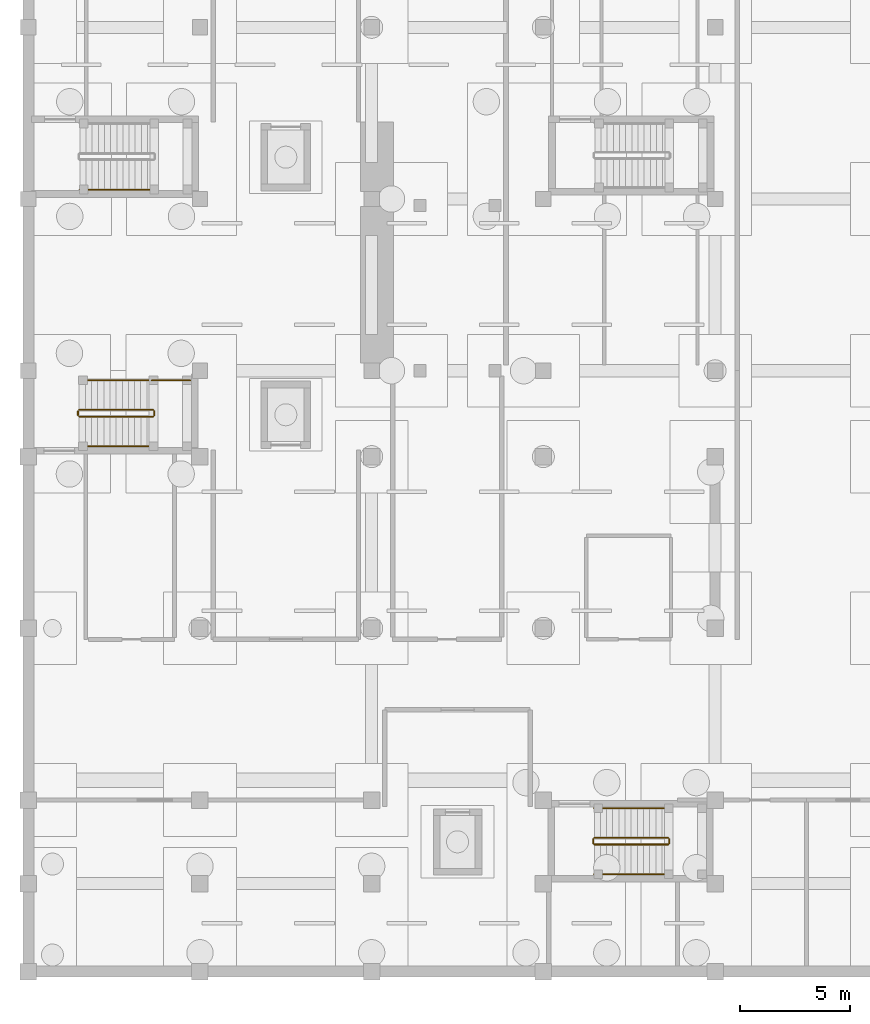
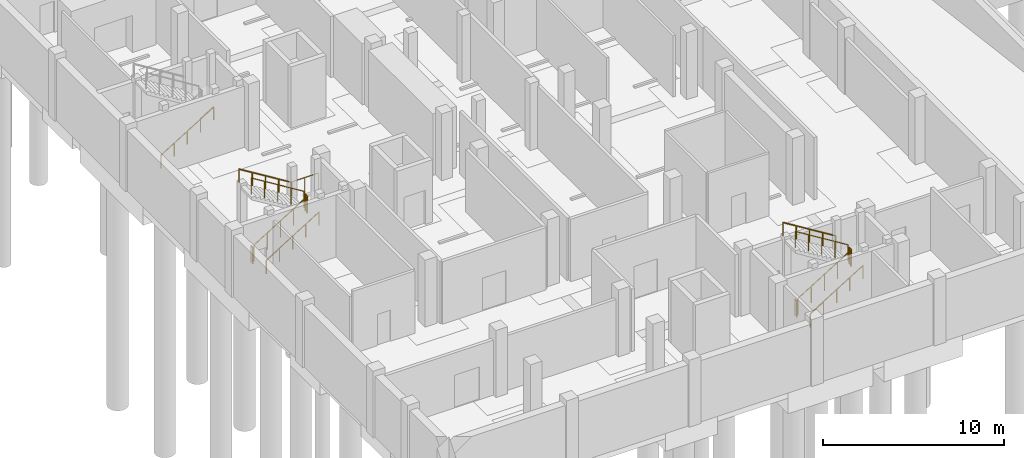
# One storey, part 20 of 24: 14 railings.
"""IFC4 building model written with IfcOpenShell, lengths in metres."""

import ifcopenshell
import ifcopenshell.guid

model = None  # the IFC model being written
_history = None  # IfcOwnerHistory: only IFC2X3 demands one
_inside = {}  # id of a spatial element -> (the spatial element, [elements in it])
_under = {}  # id of a project, library or spatial element -> (it, [spatial elements below it])
_declared = {}  # id of a project -> (the project, [libraries it declares])
_typed = {}  # id of a type object -> (the type object, [elements of that type])
_made_of = {}  # id of a material, layer set ... -> (it, [elements and type objects made of it])


def new_model(schema):
    """Start an empty IFC model of exactly this schema.

    Asked for "IFC4X3", IfcOpenShell would pick the latest addendum, in which some entities
    have other attributes; the version numbers below select the first issue.
    IFC2X3 requires an IfcOwnerHistory on every rooted entity: one is made here for all.
    """
    global model, _history
    if schema == "IFC4X3":
        model = ifcopenshell.file(schema_version=(4, 3, 0, 0))
    else:
        model = ifcopenshell.file(schema=schema)
    _inside.clear()
    _under.clear()
    _declared.clear()
    _typed.clear()
    _made_of.clear()
    _history = None
    if model.schema == "IFC2X3":
        org = make("IfcOrganization", Name="unknown")
        user = make(
            "IfcPersonAndOrganization",
            ThePerson=make("IfcPerson", FamilyName="unknown"),
            TheOrganization=org,
        )
        app = make(
            "IfcApplication",
            ApplicationDeveloper=org,
            Version="unknown",
            ApplicationFullName="unknown",
            ApplicationIdentifier="unknown",
        )
        _history = make(
            "IfcOwnerHistory",
            OwningUser=user,
            OwningApplication=app,
            ChangeAction="ADDED",
            CreationDate=0,
        )
    return model


def make(cls, **values):
    """One entity of the class cls with the attributes given. An attribute that is None is left unset."""
    return model.create_entity(
        cls, **{name: value for name, value in values.items() if value is not None}
    )


def rooted(cls, **values):
    """An entity with a GlobalId (a new one), such as an element, a storey or a relation."""
    return make(cls, GlobalId=ifcopenshell.guid.new(), OwnerHistory=_history, **values)


def si_unit(unit_type, name, prefix=None):
    """IfcSIUnit, for example si_unit("LENGTHUNIT", "METRE", prefix="MILLI")."""
    return make("IfcSIUnit", UnitType=unit_type, Prefix=prefix, Name=name)


def assignment(units):
    """IfcUnitAssignment: the units of a project."""
    return None if units is None else make("IfcUnitAssignment", Units=units)


def point(xyz):
    """IfcCartesianPoint."""
    return None if xyz is None else make("IfcCartesianPoint", Coordinates=xyz)


def direction(xyz):
    """IfcDirection."""
    return None if xyz is None else make("IfcDirection", DirectionRatios=xyz)


def frame(location, z_axis=None, x_axis=None):
    """IfcAxis2Placement3D, a coordinate frame: its origin and axes. An axis left out is left unset."""
    return make(
        "IfcAxis2Placement3D",
        Location=point(location),
        Axis=direction(z_axis),
        RefDirection=direction(x_axis),
    )


def frame_2d(location, x_axis=None):
    """IfcAxis2Placement2D, a coordinate frame in the plane: its origin and x axis."""
    return make(
        "IfcAxis2Placement2D", Location=point(location), RefDirection=direction(x_axis)
    )


def origin():
    """The frame at (0, 0, 0) with its axes left unset."""
    return frame((0.0, 0.0, 0.0))


def origin_2d():
    """The frame at (0, 0) in the plane with its x axis left unset."""
    return frame_2d((0.0, 0.0))


def place(relative_to, where):
    """IfcLocalPlacement: puts the frame where relative to a parent placement (None: the world)."""
    return make(
        "IfcLocalPlacement", PlacementRelTo=relative_to, RelativePlacement=where
    )


def context(
    kind, dimensions, precision=None, world=None, true_north=None, identifier=None
):
    """IfcGeometricRepresentationContext, for example the 3D "Model" context."""
    return make(
        "IfcGeometricRepresentationContext",
        ContextIdentifier=identifier,
        ContextType=kind,
        CoordinateSpaceDimension=dimensions,
        Precision=precision,
        WorldCoordinateSystem=world,
        TrueNorth=true_north,
    )


def subcontext(parent, identifier, kind, view, scale=None):
    """IfcGeometricRepresentationSubContext, for example "Body" below "Model"."""
    return make(
        "IfcGeometricRepresentationSubContext",
        ContextIdentifier=identifier,
        ContextType=kind,
        ParentContext=parent,
        TargetScale=scale,
        TargetView=view,
    )


def project(units=None, contexts=None):
    """IfcProject with its units and contexts."""
    return rooted(
        "IfcProject",
        Name="project",
        RepresentationContexts=contexts,
        UnitsInContext=assignment(units),
    )


def spatial(cls, under=None, at=None, **own):
    """A site, building, storey or space (cls), placed at a placement, below another one or the project."""
    s = rooted(cls, ObjectPlacement=at, **own)
    if under is not None:
        _under.setdefault(under.id(), (under, []))[1].append(s)
    return s


def profile(cls, at=None, kind="AREA", **sizes):
    """A parametric profile (cls). Its sizes go by their IFC names, for example OverallWidth=200.0."""
    return make(cls, ProfileType=kind, Position=at, **sizes)


def circle(**sizes):
    """IfcCircleProfileDef."""
    return profile("IfcCircleProfileDef", **sizes)


def extrude(swept, where, along, depth):
    """IfcExtrudedAreaSolid: the profile swept, set in the frame where, extruded along a direction by depth."""
    return make(
        "IfcExtrudedAreaSolid",
        SweptArea=swept,
        Position=where,
        ExtrudedDirection=direction(along),
        Depth=depth,
    )


def shape(context_of_items, identifier, shape_type, items):
    """IfcShapeRepresentation: the items that make up one representation, for example the "Body"."""
    return make(
        "IfcShapeRepresentation",
        ContextOfItems=context_of_items,
        RepresentationIdentifier=identifier,
        RepresentationType=shape_type,
        Items=items,
    )


def material(Name=None, Category=None):
    """IfcMaterial."""
    return make("IfcMaterial", Name=Name, Category=Category)


def made_of(thing, what):
    """Note that an element or type object is made of a material, layer set ...; save() writes the relation."""
    if what is not None:
        _made_of.setdefault(what.id(), (what, []))[1].append(thing)
    return thing


def type_object(cls, material=None, **own):
    """A type object (cls), such as IfcWallType, which elements share."""
    return made_of(rooted(cls, **own), material)


def element(
    cls,
    number,
    at=None,
    inside=None,
    cuts=None,
    type_object=None,
    material=None,
    context=None,
    identifier="Body",
    shape_type=None,
    held_by="IfcProductDefinitionShape",
    body=None,
    shapes=None,
    **own,
):
    """One element of the class cls, such as IfcWall. Its Tag is "e" and its number.

    at: its placement. inside: the storey or other place that contains it. cuts: it is an
    opening in that element (IfcRelVoidsElement). A single representation is given by context,
    identifier, shape_type and body (its items); several are given by shapes. held_by: the class
    of the entity that holds the representations. save() writes the other relations.
    """
    e = rooted(cls, Tag="e%d" % number, ObjectPlacement=at, **own)
    if body is not None:
        shapes = [shape(context, identifier, shape_type, body)]
    if shapes is not None:
        e.Representation = make(held_by, Representations=shapes)
    if inside is not None:
        _inside.setdefault(inside.id(), (inside, []))[1].append(e)
    if cuts is not None:
        rooted(
            "IfcRelVoidsElement", RelatingBuildingElement=cuts, RelatedOpeningElement=e
        )
    if type_object is not None:
        _typed.setdefault(type_object.id(), (type_object, []))[1].append(e)
    return made_of(e, material)


def aggregate(whole, parts):
    """IfcRelAggregates: a whole, such as a stair, and the parts it consists of."""
    return rooted("IfcRelAggregates", RelatingObject=whole, RelatedObjects=parts)


def save(model, path):
    """Write the relations noted so far, then the file.

    IfcRelAggregates (storeys below a building ...), IfcRelContainedInSpatialStructure (elements
    in a storey), IfcRelDefinesByType, IfcRelAssociatesMaterial and IfcRelDeclares: one each for
    every whole, place, type object, material and project.
    """
    for whole, parts in _under.values():
        aggregate(whole, parts)
    for where, things in _inside.values():
        rooted(
            "IfcRelContainedInSpatialStructure",
            RelatedElements=things,
            RelatingStructure=where,
        )
    for kind, things in _typed.values():
        rooted("IfcRelDefinesByType", RelatedObjects=things, RelatingType=kind)
    for what, things in _made_of.values():
        rooted("IfcRelAssociatesMaterial", RelatedObjects=things, RelatingMaterial=what)
    for by, libraries in _declared.values():
        rooted("IfcRelDeclares", RelatingContext=by, RelatedDefinitions=libraries)
    model.write(path)


model = new_model("IFC4")

# Units and contexts
model_context = context("Model", 3, precision=1e-05, world=origin(), true_north=direction((0.0, 1.0)))
body_context = subcontext(model_context, "Body", "Model", "MODEL_VIEW")
ifc_project = project(units=[si_unit("LENGTHUNIT", "METRE"), si_unit("AREAUNIT", "SQUARE_METRE"), si_unit("VOLUMEUNIT", "CUBIC_METRE"), si_unit("PLANEANGLEUNIT", "RADIAN"), si_unit("MASSUNIT", "GRAM", prefix="KILO")], contexts=[model_context])

# Site, building, storey
site_placement = place(None, origin())
site = spatial("IfcSite", under=ifc_project, at=site_placement, CompositionType="ELEMENT")
building_placement = place(site_placement, origin())
building = spatial("IfcBuilding", under=site, at=building_placement, Name="Celorna Specialist Clinic", CompositionType="ELEMENT")
storey_placement = place(building_placement, frame((0.0, 0.0, -4.5)))
storey = spatial("IfcBuildingStorey", under=building, at=storey_placement, Name="B01", CompositionType="ELEMENT", Elevation=-4.5)

# Railings
ifc_material_1 = material(Name="Powder-coated steel S355", Category="steel")
railing_type_1 = type_object("IfcRailingType", Name="GR-01", PredefinedType="GUARDRAIL", material=ifc_material_1)
railing_1_placement = place(storey_placement, frame((2.31005859375, 25.219970703125, 0.173095703125)))
element("IfcRailing", 1, at=railing_1_placement, inside=storey, type_object=railing_type_1, Name="B01 ST-04 stair guard 1", PredefinedType="GUARDRAIL", context=body_context, shape_type="SweptSolid", body=[
    extrude(circle(Radius=0.02392578125, at=origin_2d()), frame((0.0, 0.0, 1.09619140625), z_axis=(0.850606129759, 0.0, 0.525803396734), x_axis=(0.0, 1.0, 0.0)), (0.0, 0.0, 1.0), 3.949951171875),
    extrude(circle(Radius=0.02099609375, at=origin_2d()), origin(), (0.0, 0.0, 1.0), 1.072021484375),
    extrude(circle(Radius=0.02099609375, at=origin_2d()), frame((0.83984375, 0.0, 0.519287109375)), (0.0, 0.0, 1.0), 1.072021484375),
    extrude(circle(Radius=0.02099609375, at=origin_2d()), frame((1.679931640625, 0.0, 1.03857421875)), (0.0, 0.0, 1.0), 1.072021484375),
    extrude(circle(Radius=0.02099609375, at=origin_2d()), frame((2.52001953125, 0.0, 1.5576171875)), (0.0, 0.0, 1.0), 1.072021484375),
    extrude(circle(Radius=0.02099609375, at=origin_2d()), frame((3.35986328125, 0.0, 2.076904296875)), (0.0, 0.0, 1.0), 1.072021484375),
])
railing_2_placement = place(storey_placement, frame((5.719970703125, 25.27001953125, 2.25)))
element("IfcRailing", 2, at=railing_2_placement, inside=storey, type_object=railing_type_1, Name="B01 ST-04 stair guard 2", PredefinedType="GUARDRAIL", context=body_context, shape_type="SweptSolid", body=[
    extrude(circle(Radius=0.02392578125, at=origin_2d()), frame((0.0, 0.0, 1.09619140625), z_axis=(0.0, 1.0, 0.0), x_axis=(-1.0, 0.0, 0.0)), (0.0, 0.0, 1.0), 0.199951171875),
    extrude(circle(Radius=0.02099609375, at=origin_2d()), origin(), (0.0, 0.0, 1.0), 1.072021484375),
    extrude(circle(Radius=0.02099609375, at=origin_2d()), frame((0.0, 0.199951171875, 0.0)), (0.0, 0.0, 1.0), 1.072021484375),
])
railing_3_placement = place(storey_placement, frame((5.669921875, 25.52001953125, 2.423095703125)))
element("IfcRailing", 3, at=railing_3_placement, inside=storey, type_object=railing_type_1, Name="B01 ST-04 stair guard 3", PredefinedType="GUARDRAIL", context=body_context, shape_type="SweptSolid", body=[
    extrude(circle(Radius=0.02392578125, at=origin_2d()), frame((0.0, 0.0, 1.09619140625), z_axis=(-0.850606129759, 0.0, 0.525803396734), x_axis=(0.0, -1.0, 0.0)), (0.0, 0.0, 1.0), 3.949951171875),
    extrude(circle(Radius=0.02099609375, at=origin_2d()), origin(), (0.0, 0.0, 1.0), 1.072021484375),
    extrude(circle(Radius=0.02099609375, at=origin_2d()), frame((-0.83984375, 0.0, 0.519287109375)), (0.0, 0.0, 1.0), 1.072021484375),
    extrude(circle(Radius=0.02099609375, at=origin_2d()), frame((-1.679931640625, 0.0, 1.03857421875)), (0.0, 0.0, 1.0), 1.072021484375),
    extrude(circle(Radius=0.02099609375, at=origin_2d()), frame((-2.52001953125, 0.0, 1.5576171875)), (0.0, 0.0, 1.0), 1.072021484375),
    extrude(circle(Radius=0.02099609375, at=origin_2d()), frame((-3.35986328125, 0.0, 2.076904296875)), (0.0, 0.0, 1.0), 1.072021484375),
])
railing_4_placement = place(storey_placement, frame((2.260009765625, 25.27001953125, 0.0)))
element("IfcRailing", 4, at=railing_4_placement, inside=storey, type_object=railing_type_1, Name="B01 ST-04 stair guard 4", PredefinedType="GUARDRAIL", context=body_context, shape_type="SweptSolid", body=[
    extrude(circle(Radius=0.02392578125, at=origin_2d()), frame((0.0, 0.0, 1.09619140625), z_axis=(0.0, 1.0, 0.0), x_axis=(-1.0, 0.0, 0.0)), (0.0, 0.0, 1.0), 0.199951171875),
    extrude(circle(Radius=0.02099609375, at=origin_2d()), origin(), (0.0, 0.0, 1.0), 1.072021484375),
    extrude(circle(Radius=0.02099609375, at=origin_2d()), frame((0.0, 0.199951171875, 0.0)), (0.0, 0.0, 1.0), 1.072021484375),
])
railing_5_placement = place(storey_placement, frame((5.610107421875, 26.860107421875, 2.25)))
element("IfcRailing", 5, at=railing_5_placement, inside=storey, type_object=railing_type_1, Name="Stair ST-04 half-landing guard B01", PredefinedType="GUARDRAIL", context=body_context, shape_type="SweptSolid", body=[
    extrude(circle(Radius=0.02392578125, at=origin_2d()), frame((0.0, 0.0, 1.09619140625), z_axis=(1.0, 0.0, 0.0), x_axis=(0.0, 1.0, 0.0)), (0.0, 0.0, 1.0), 1.739990234375),
    extrude(circle(Radius=0.02099609375, at=origin_2d()), origin(), (0.0, 0.0, 1.0), 1.072021484375),
    extrude(circle(Radius=0.02099609375, at=origin_2d()), frame((0.8701171875, 0.0, 0.0)), (0.0, 0.0, 1.0), 1.072021484375),
    extrude(circle(Radius=0.02099609375, at=origin_2d()), frame((1.739990234375, 0.0, 0.0)), (0.0, 0.0, 1.0), 1.072021484375),
])
railing_6_placement = place(storey_placement, frame((25.7099609375, 5.780029296875, 0.173095703125)))
element("IfcRailing", 6, at=railing_6_placement, inside=storey, type_object=railing_type_1, Name="B01 ST-05 stair guard 1", PredefinedType="GUARDRAIL", context=body_context, shape_type="SweptSolid", body=[
    extrude(circle(Radius=0.02392578125, at=origin_2d()), frame((0.0, 0.0, 1.09619140625), z_axis=(0.850623216509, 0.0, 0.525775754039), x_axis=(0.0, 1.0, 0.0)), (0.0, 0.0, 1.0), 3.9501953125),
    extrude(circle(Radius=0.02099609375, at=origin_2d()), origin(), (0.0, 0.0, 1.0), 1.072021484375),
    extrude(circle(Radius=0.02099609375, at=origin_2d()), frame((0.840087890625, 0.0, 0.519287109375)), (0.0, 0.0, 1.0), 1.072021484375),
    extrude(circle(Radius=0.02099609375, at=origin_2d()), frame((1.68017578125, 0.0, 1.03857421875)), (0.0, 0.0, 1.0), 1.072021484375),
    extrude(circle(Radius=0.02099609375, at=origin_2d()), frame((2.52001953125, 0.0, 1.5576171875)), (0.0, 0.0, 1.0), 1.072021484375),
    extrude(circle(Radius=0.02099609375, at=origin_2d()), frame((3.360107421875, 0.0, 2.076904296875)), (0.0, 0.0, 1.0), 1.072021484375),
])
railing_7_placement = place(storey_placement, frame((29.1201171875, 5.830078125, 2.25)))
element("IfcRailing", 7, at=railing_7_placement, inside=storey, type_object=railing_type_1, Name="B01 ST-05 stair guard 2", PredefinedType="GUARDRAIL", context=body_context, shape_type="SweptSolid", body=[
    extrude(circle(Radius=0.02392578125, at=origin_2d()), frame((0.0, 0.0, 1.09619140625), z_axis=(0.0, 1.0, 0.0), x_axis=(-1.0, 0.0, 0.0)), (0.0, 0.0, 1.0), 0.199951171875),
    extrude(circle(Radius=0.02099609375, at=origin_2d()), origin(), (0.0, 0.0, 1.0), 1.072021484375),
    extrude(circle(Radius=0.02099609375, at=origin_2d()), frame((0.0, 0.199951171875, 0.0)), (0.0, 0.0, 1.0), 1.072021484375),
])
railing_8_placement = place(storey_placement, frame((29.070068359375, 6.080078125, 2.423095703125)))
element("IfcRailing", 8, at=railing_8_placement, inside=storey, type_object=railing_type_1, Name="B01 ST-05 stair guard 3", PredefinedType="GUARDRAIL", context=body_context, shape_type="SweptSolid", body=[
    extrude(circle(Radius=0.02392578125, at=origin_2d()), frame((0.0, 0.0, 1.09619140625), z_axis=(-0.850623216509, 0.0, 0.525775754039), x_axis=(0.0, -1.0, 0.0)), (0.0, 0.0, 1.0), 3.9501953125),
    extrude(circle(Radius=0.02099609375, at=origin_2d()), origin(), (0.0, 0.0, 1.0), 1.072021484375),
    extrude(circle(Radius=0.02099609375, at=origin_2d()), frame((-0.840087890625, 0.0, 0.519287109375)), (0.0, 0.0, 1.0), 1.072021484375),
    extrude(circle(Radius=0.02099609375, at=origin_2d()), frame((-1.68017578125, 0.0, 1.03857421875)), (0.0, 0.0, 1.0), 1.072021484375),
    extrude(circle(Radius=0.02099609375, at=origin_2d()), frame((-2.52001953125, 0.0, 1.5576171875)), (0.0, 0.0, 1.0), 1.072021484375),
    extrude(circle(Radius=0.02099609375, at=origin_2d()), frame((-3.360107421875, 0.0, 2.076904296875)), (0.0, 0.0, 1.0), 1.072021484375),
])
railing_9_placement = place(storey_placement, frame((25.659912109375, 5.830078125, 0.0)))
element("IfcRailing", 9, at=railing_9_placement, inside=storey, type_object=railing_type_1, Name="B01 ST-05 stair guard 4", PredefinedType="GUARDRAIL", context=body_context, shape_type="SweptSolid", body=[
    extrude(circle(Radius=0.02392578125, at=origin_2d()), frame((0.0, 0.0, 1.09619140625), z_axis=(0.0, 1.0, 0.0), x_axis=(-1.0, 0.0, 0.0)), (0.0, 0.0, 1.0), 0.199951171875),
    extrude(circle(Radius=0.02099609375, at=origin_2d()), origin(), (0.0, 0.0, 1.0), 1.072021484375),
    extrude(circle(Radius=0.02099609375, at=origin_2d()), frame((0.0, 0.199951171875, 0.0)), (0.0, 0.0, 1.0), 1.072021484375),
])
ifc_material_2 = material(Name="Brushed stainless steel handrail", Category="steel")
railing_type_2 = type_object("IfcRailingType", Name="HR-01", PredefinedType="HANDRAIL", material=ifc_material_2)
railing_10_placement = place(storey_placement, frame((2.31005859375, 23.8701171875, 0.173095703125)))
element("IfcRailing", 10, at=railing_10_placement, inside=storey, type_object=railing_type_2, Name="B01 ST-04 stair handrail 1", PredefinedType="HANDRAIL", context=body_context, shape_type="SweptSolid", body=[
    extrude(circle(Radius=0.02392578125, at=origin_2d()), frame((0.0, 0.0, 0.8759765625), z_axis=(0.850606129759, 0.0, 0.525803396734), x_axis=(0.0, 1.0, 0.0)), (0.0, 0.0, 1.0), 3.949951171875),
    extrude(circle(Radius=0.02099609375, at=origin_2d()), origin(), (0.0, 0.0, 1.0), 0.851806640625),
    extrude(circle(Radius=0.02099609375, at=origin_2d()), frame((0.83984375, 0.0, 0.519287109375)), (0.0, 0.0, 1.0), 0.851806640625),
    extrude(circle(Radius=0.02099609375, at=origin_2d()), frame((1.679931640625, 0.0, 1.03857421875)), (0.0, 0.0, 1.0), 0.851806640625),
    extrude(circle(Radius=0.02099609375, at=origin_2d()), frame((2.52001953125, 0.0, 1.5576171875)), (0.0, 0.0, 1.0), 0.851806640625),
    extrude(circle(Radius=0.02099609375, at=origin_2d()), frame((3.35986328125, 0.0, 2.076904296875)), (0.0, 0.0, 1.0), 0.851806640625),
])
railing_11_placement = place(storey_placement, frame((5.669921875, 26.8701171875, 2.423095703125)))
element("IfcRailing", 11, at=railing_11_placement, inside=storey, type_object=railing_type_2, Name="B01 ST-04 stair handrail 2", PredefinedType="HANDRAIL", context=body_context, shape_type="SweptSolid", body=[
    extrude(circle(Radius=0.02392578125, at=origin_2d()), frame((0.0, 0.0, 0.8759765625), z_axis=(-0.850606129759, 0.0, 0.525803396734), x_axis=(0.0, -1.0, 0.0)), (0.0, 0.0, 1.0), 3.949951171875),
    extrude(circle(Radius=0.02099609375, at=origin_2d()), origin(), (0.0, 0.0, 1.0), 0.851806640625),
    extrude(circle(Radius=0.02099609375, at=origin_2d()), frame((-0.83984375, 0.0, 0.519287109375)), (0.0, 0.0, 1.0), 0.851806640625),
    extrude(circle(Radius=0.02099609375, at=origin_2d()), frame((-1.679931640625, 0.0, 1.03857421875)), (0.0, 0.0, 1.0), 0.851806640625),
    extrude(circle(Radius=0.02099609375, at=origin_2d()), frame((-2.52001953125, 0.0, 1.5576171875)), (0.0, 0.0, 1.0), 0.851806640625),
    extrude(circle(Radius=0.02099609375, at=origin_2d()), frame((-3.35986328125, 0.0, 2.076904296875)), (0.0, 0.0, 1.0), 0.851806640625),
])
railing_12_placement = place(storey_placement, frame((25.7099609375, 4.429931640625, 0.173095703125)))
element("IfcRailing", 12, at=railing_12_placement, inside=storey, type_object=railing_type_2, Name="B01 ST-05 stair handrail 1", PredefinedType="HANDRAIL", context=body_context, shape_type="SweptSolid", body=[
    extrude(circle(Radius=0.02392578125, at=origin_2d()), frame((0.0, 0.0, 0.8759765625), z_axis=(0.850623216509, 0.0, 0.525775754039), x_axis=(0.0, 1.0, 0.0)), (0.0, 0.0, 1.0), 3.9501953125),
    extrude(circle(Radius=0.02099609375, at=origin_2d()), origin(), (0.0, 0.0, 1.0), 0.851806640625),
    extrude(circle(Radius=0.02099609375, at=origin_2d()), frame((0.840087890625, 0.0, 0.519287109375)), (0.0, 0.0, 1.0), 0.851806640625),
    extrude(circle(Radius=0.02099609375, at=origin_2d()), frame((1.68017578125, 0.0, 1.03857421875)), (0.0, 0.0, 1.0), 0.851806640625),
    extrude(circle(Radius=0.02099609375, at=origin_2d()), frame((2.52001953125, 0.0, 1.5576171875)), (0.0, 0.0, 1.0), 0.851806640625),
    extrude(circle(Radius=0.02099609375, at=origin_2d()), frame((3.360107421875, 0.0, 2.076904296875)), (0.0, 0.0, 1.0), 0.851806640625),
])
railing_13_placement = place(storey_placement, frame((29.070068359375, 7.429931640625, 2.423095703125)))
element("IfcRailing", 13, at=railing_13_placement, inside=storey, type_object=railing_type_2, Name="B01 ST-05 stair handrail 2", PredefinedType="HANDRAIL", context=body_context, shape_type="SweptSolid", body=[
    extrude(circle(Radius=0.02392578125, at=origin_2d()), frame((0.0, 0.0, 0.8759765625), z_axis=(-0.850623216509, 0.0, 0.525775754039), x_axis=(0.0, -1.0, 0.0)), (0.0, 0.0, 1.0), 3.9501953125),
    extrude(circle(Radius=0.02099609375, at=origin_2d()), origin(), (0.0, 0.0, 1.0), 0.851806640625),
    extrude(circle(Radius=0.02099609375, at=origin_2d()), frame((-0.840087890625, 0.0, 0.519287109375)), (0.0, 0.0, 1.0), 0.851806640625),
    extrude(circle(Radius=0.02099609375, at=origin_2d()), frame((-1.68017578125, 0.0, 1.03857421875)), (0.0, 0.0, 1.0), 0.851806640625),
    extrude(circle(Radius=0.02099609375, at=origin_2d()), frame((-2.52001953125, 0.0, 1.5576171875)), (0.0, 0.0, 1.0), 0.851806640625),
    extrude(circle(Radius=0.02099609375, at=origin_2d()), frame((-3.360107421875, 0.0, 2.076904296875)), (0.0, 0.0, 1.0), 0.851806640625),
])
railing_14_placement = place(storey_placement, frame((2.340087890625, 35.530029296875, 0.173095703125)))
element("IfcRailing", 14, at=railing_14_placement, inside=storey, type_object=railing_type_2, Name="B01 ST-06 stair handrail 1", PredefinedType="HANDRAIL", context=body_context, shape_type="SweptSolid", body=[
    extrude(circle(Radius=0.02392578125, at=origin_2d()), frame((0.0, 0.0, 0.8759765625), z_axis=(0.850606129759, 0.0, 0.525803396734), x_axis=(0.0, 1.0, 0.0)), (0.0, 0.0, 1.0), 3.949951171875),
    extrude(circle(Radius=0.02099609375, at=origin_2d()), origin(), (0.0, 0.0, 1.0), 0.851806640625),
    extrude(circle(Radius=0.02099609375, at=origin_2d()), frame((0.83984375, 0.0, 0.519287109375)), (0.0, 0.0, 1.0), 0.851806640625),
    extrude(circle(Radius=0.02099609375, at=origin_2d()), frame((1.679931640625, 0.0, 1.03857421875)), (0.0, 0.0, 1.0), 0.851806640625),
    extrude(circle(Radius=0.02099609375, at=origin_2d()), frame((2.52001953125, 0.0, 1.5576171875)), (0.0, 0.0, 1.0), 0.851806640625),
    extrude(circle(Radius=0.02099609375, at=origin_2d()), frame((3.35986328125, 0.0, 2.076904296875)), (0.0, 0.0, 1.0), 0.851806640625),
])

save(model, "model.ifc")
